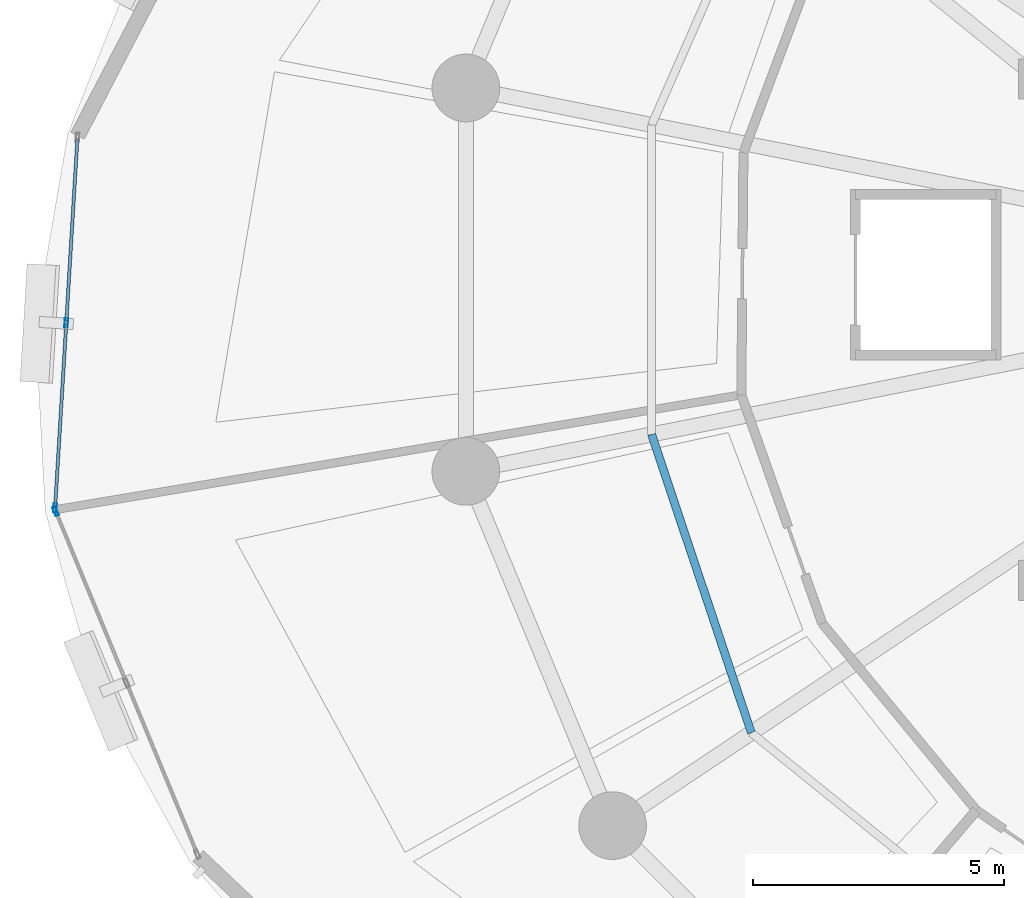
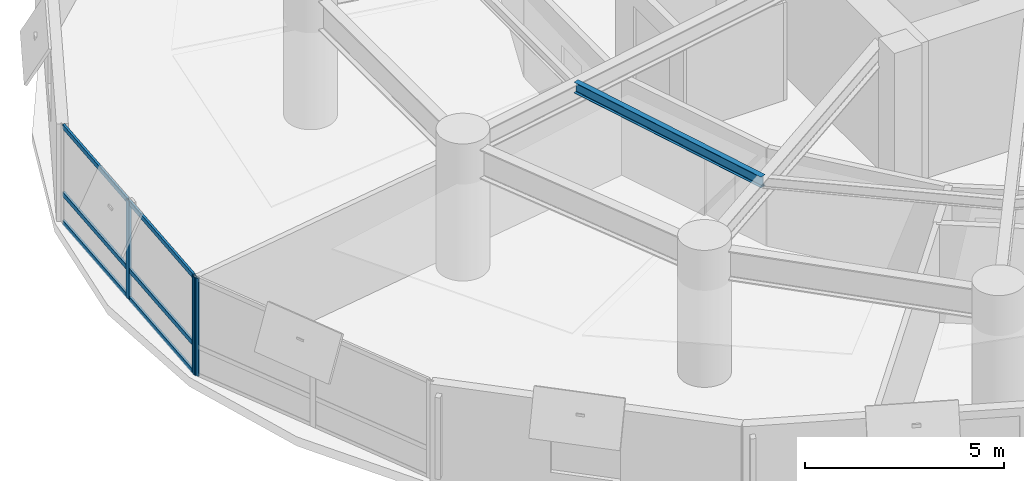
# One storey, part 4 of 17: 9 members, 1 beam, 2 elements without a shape of their own.
"""IFC4 building model written with IfcOpenShell, lengths in metres."""

from ifc_helpers import new_model, si_unit, direction, frame, origin, origin_2d, place, context, subcontext, project, spatial, hollow_rectangle, i_section, extrude, material, layer, layer_set, material_profile, profile_set, type_object, element, aggregate, save


model = new_model("IFC4")

# Units and contexts
model_context = context("Model", 3, precision=1e-05, world=origin(), true_north=direction((0.0, 1.0)))
body_context = subcontext(model_context, "Body", "Model", "MODEL_VIEW")
ifc_project = project(units=[si_unit("LENGTHUNIT", "METRE"), si_unit("AREAUNIT", "SQUARE_METRE"), si_unit("VOLUMEUNIT", "CUBIC_METRE"), si_unit("PLANEANGLEUNIT", "RADIAN"), si_unit("MASSUNIT", "GRAM", prefix="KILO"), si_unit("THERMODYNAMICTEMPERATUREUNIT", "KELVIN"), si_unit("POWERUNIT", "WATT")], contexts=[model_context])

# Site, building, storey
site_placement = place(None, origin())
site = spatial("IfcSite", under=ifc_project, at=site_placement, CompositionType="ELEMENT")
building_placement = place(site_placement, origin())
building = spatial("IfcBuilding", under=site, at=building_placement, Name="Ocrelia Relay Tower", CompositionType="ELEMENT")
storey_placement = place(building_placement, frame((0.0, 0.0, 72.0)))
storey = spatial("IfcBuildingStorey", under=building, at=storey_placement, Name="L16", CompositionType="ELEMENT", Elevation=72.0)

# Beam
ifc_material_1 = material(Name="Steel S355", Category="steel")
ifc_material_profile_1 = material_profile(ifc_material_1, i_section(OverallWidth=0.159912109375, OverallDepth=0.330078125, WebThickness=0.007568359375, FlangeThickness=0.011474609375, FilletRadius=0.01806640625, at=origin_2d()), Name="IPE 330")
ifc_profile_set_1 = profile_set([ifc_material_profile_1], Name="Steel S355")
beam_type = type_object("IfcBeamType", Name="BM-IPE330", PredefinedType="JOIST", material=ifc_profile_set_1)
beam_placement = place(storey_placement, frame((18.481689453125, 22.9130859375, 3.7548828125), z_axis=(0.317067865999, -0.948402851298, 0.0), x_axis=(0.948402851298, 0.317067865999, 0.0)))
element("IfcBeam", 1, at=beam_placement, inside=storey, type_object=beam_type, Name="L16 Secondary Floor Joist J09", PredefinedType="JOIST", context=body_context, shape_type="SweptSolid", body=[
    extrude(i_section(OverallWidth=0.159912109375, OverallDepth=0.330078125, WebThickness=0.007568359375, FlangeThickness=0.011474609375, FilletRadius=0.01806640625, at=origin_2d()), origin(), (0.0, 0.0, 1.0), 6.276123046875),
])

# Curtain wall, members
ifc_material_2 = material(Name="Aluminium and solar-control low-E glass", Category="aluminium")
ifc_layer = layer(ifc_material_2, 0.179931640625, Name="Aluminium and solar-control low-E glass")
ifc_layer_set = layer_set([ifc_layer], Name="Aluminium and solar-control low-E glass")
curtain_wall_type = type_object("IfcCurtainWallType", Name="CW-SYS-Z1-DATA", PredefinedType="NOTDEFINED", material=ifc_layer_set)
curtain_wall_1_placement = place(storey_placement, origin())
curtain_wall_1 = element("IfcCurtainWall", 2, at=curtain_wall_1_placement, inside=storey, type_object=curtain_wall_type, Name="L16 Elliptical Tower Curtain Wall Bay 09", PredefinedType="NOTDEFINED")
ifc_material_3 = material(Name="Anodised bronze aluminium", Category="aluminium")
ifc_material_profile_2 = material_profile(ifc_material_3, hollow_rectangle(XDim=0.070068359375, YDim=0.179931640625, WallThickness=0.006103515625, at=origin_2d()), Name="CW-MUL-180x70")
ifc_profile_set_2 = profile_set([ifc_material_profile_2], Name="Anodised bronze aluminium")
member_type_1 = type_object("IfcMemberType", Name="CW-SYS-Z1-DATA-MUL", PredefinedType="MULLION", material=ifc_profile_set_2)
member_1_placement = place(storey_placement, frame((6.806884765625, 25.142578125, 0.0), z_axis=(0.0, 0.0, 1.0), x_axis=(0.998177615517, -0.060344410517, 0.0)))
member_1 = element("IfcMember", 3, at=member_1_placement, type_object=member_type_1, Name="CW-Z1 mullion 2", PredefinedType="MULLION", context=body_context, shape_type="SweptSolid", body=[
    extrude(hollow_rectangle(XDim=0.070068359375, YDim=0.179931640625, WallThickness=0.006103515625, at=origin_2d()), origin(), (0.0, 0.0, 1.0), 3.0),
])
member_2_placement = place(storey_placement, frame((6.58349609375, 21.446533203125, 0.0), z_axis=(0.0, 0.0, 1.0), x_axis=(0.998177615517, -0.060344410517, 0.0)))
member_2 = element("IfcMember", 4, at=member_2_placement, type_object=member_type_1, Name="CW-Z1 mullion 3", PredefinedType="MULLION", context=body_context, shape_type="SweptSolid", body=[
    extrude(hollow_rectangle(XDim=0.070068359375, YDim=0.179931640625, WallThickness=0.006103515625, at=origin_2d()), origin(), (0.0, 0.0, 1.0), 3.0),
])

# Curtain wall, member
curtain_wall_2_placement = place(storey_placement, origin())
curtain_wall_2 = element("IfcCurtainWall", 5, at=curtain_wall_2_placement, inside=storey, type_object=curtain_wall_type, Name="L16 Elliptical Tower Curtain Wall Bay 10", PredefinedType="NOTDEFINED")
member_3_placement = place(storey_placement, frame((6.5947265625, 21.37939453125, 0.0), z_axis=(0.0, 0.0, 1.0), x_axis=(0.924146666429, 0.382037876302, 0.0)))
member_3 = element("IfcMember", 6, at=member_3_placement, type_object=member_type_1, Name="CW-Z1 mullion 1", PredefinedType="MULLION", context=body_context, shape_type="SweptSolid", body=[
    extrude(hollow_rectangle(XDim=0.070068359375, YDim=0.179931640625, WallThickness=0.006103515625, at=origin_2d()), origin(), (0.0, 0.0, 1.0), 3.0),
])
aggregate(curtain_wall_2, [member_3])

# Member
ifc_material_profile_3 = material_profile(ifc_material_3, hollow_rectangle(XDim=0.06494140625, YDim=0.139892578125, WallThickness=0.0048828125, at=origin_2d()), Name="CW-TRN-140x65")
ifc_profile_set_3 = profile_set([ifc_material_profile_3], Name="Anodised bronze aluminium")
member_type_2 = type_object("IfcMemberType", Name="CW-SYS-Z1-DATA-TRN", PredefinedType="USERDEFINED", material=ifc_profile_set_3)
member_4_placement = place(storey_placement, frame((7.028076171875, 28.8037109375, 0.032470703125), z_axis=(-0.060282010582, -0.998181385922, 0.0), x_axis=(0.998181385922, -0.060282010582, 0.0)))
member_4 = element("IfcMember", 7, at=member_4_placement, type_object=member_type_2, Name="CW-Z1 transom 1.1", ObjectType="TRANSOM", PredefinedType="USERDEFINED", context=body_context, shape_type="SweptSolid", body=[
    extrude(hollow_rectangle(XDim=0.06494140625, YDim=0.139892578125, WallThickness=0.0048828125, at=origin_2d()), origin(), (0.0, 0.0, 1.0), 3.6328125),
])

member_5_placement = place(storey_placement, frame((7.028076171875, 28.8037109375, 0.89990234375), z_axis=(-0.060282010582, -0.998181385922, 0.0), x_axis=(0.998181385922, -0.060282010582, 0.0)))
member_5 = element("IfcMember", 8, at=member_5_placement, type_object=member_type_2, Name="CW-Z1 transom 1.2", ObjectType="TRANSOM", PredefinedType="USERDEFINED", context=body_context, shape_type="SweptSolid", body=[
    extrude(hollow_rectangle(XDim=0.06494140625, YDim=0.139892578125, WallThickness=0.0048828125, at=origin_2d()), origin(), (0.0, 0.0, 1.0), 3.6328125),
])

member_6_placement = place(storey_placement, frame((7.028076171875, 28.8037109375, 2.967529296875), z_axis=(-0.060282010582, -0.998181385922, 0.0), x_axis=(0.998181385922, -0.060282010582, 0.0)))
member_6 = element("IfcMember", 9, at=member_6_placement, type_object=member_type_2, Name="CW-Z1 transom 1.3", ObjectType="TRANSOM", PredefinedType="USERDEFINED", context=body_context, shape_type="SweptSolid", body=[
    extrude(hollow_rectangle(XDim=0.06494140625, YDim=0.139892578125, WallThickness=0.0048828125, at=origin_2d()), origin(), (0.0, 0.0, 1.0), 3.6328125),
])

member_7_placement = place(storey_placement, frame((6.8046875, 25.107666015625, 0.032470703125), z_axis=(-0.060353018542, -0.998177095085, 0.0), x_axis=(0.998177095085, -0.060353018542, 0.0)))
member_7 = element("IfcMember", 10, at=member_7_placement, type_object=member_type_2, Name="CW-Z1 transom 2.1", ObjectType="TRANSOM", PredefinedType="USERDEFINED", context=body_context, shape_type="SweptSolid", body=[
    extrude(hollow_rectangle(XDim=0.06494140625, YDim=0.139892578125, WallThickness=0.0048828125, at=origin_2d()), origin(), (0.0, 0.0, 1.0), 3.632568359375),
])

member_8_placement = place(storey_placement, frame((6.8046875, 25.107666015625, 0.89990234375), z_axis=(-0.060353018542, -0.998177095085, 0.0), x_axis=(0.998177095085, -0.060353018542, 0.0)))
member_8 = element("IfcMember", 11, at=member_8_placement, type_object=member_type_2, Name="CW-Z1 transom 2.2", ObjectType="TRANSOM", PredefinedType="USERDEFINED", context=body_context, shape_type="SweptSolid", body=[
    extrude(hollow_rectangle(XDim=0.06494140625, YDim=0.139892578125, WallThickness=0.0048828125, at=origin_2d()), origin(), (0.0, 0.0, 1.0), 3.632568359375),
])

member_9_placement = place(storey_placement, frame((6.8046875, 25.107666015625, 2.967529296875), z_axis=(-0.060353018542, -0.998177095085, 0.0), x_axis=(0.998177095085, -0.060353018542, 0.0)))
member_9 = element("IfcMember", 12, at=member_9_placement, type_object=member_type_2, Name="CW-Z1 transom 2.3", ObjectType="TRANSOM", PredefinedType="USERDEFINED", context=body_context, shape_type="SweptSolid", body=[
    extrude(hollow_rectangle(XDim=0.06494140625, YDim=0.139892578125, WallThickness=0.0048828125, at=origin_2d()), origin(), (0.0, 0.0, 1.0), 3.632568359375),
])

aggregate(curtain_wall_1, [member_1, member_2, member_4, member_5, member_6, member_7, member_8, member_9])

save(model, "model.ifc")
